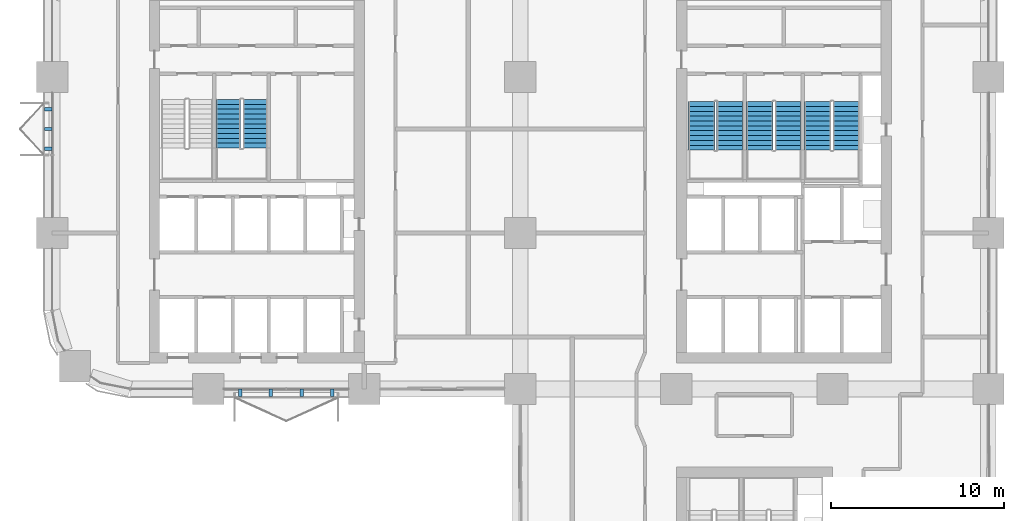
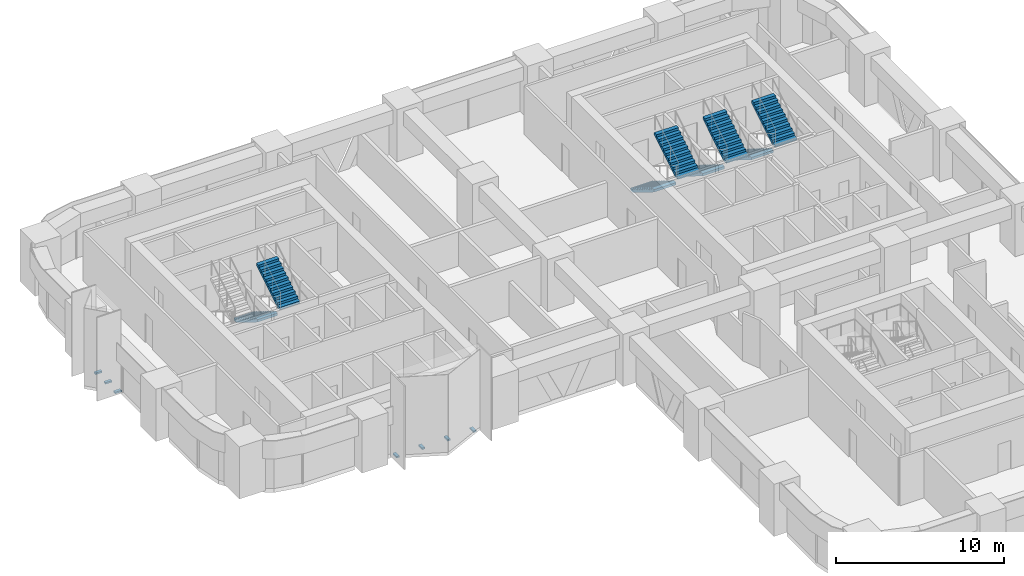
# One storey, part 16 of 18: 8 stair flights, 7 discrete accessories, 4 elements without a shape of their own.
"""IFC4 building model written with IfcOpenShell, lengths in metres."""

from ifc_helpers import new_model, si_unit, direction, frame, origin, origin_2d, place, context, subcontext, project, spatial, polyline, rectangle, outline, extrude, material, type_object, element, aggregate, save


model = new_model("IFC4")

# Units and contexts
model_context = context("Model", 3, precision=1e-05, world=origin(), true_north=direction((0.0, 1.0)))
body_context = subcontext(model_context, "Body", "Model", "MODEL_VIEW")
ifc_project = project(units=[si_unit("LENGTHUNIT", "METRE"), si_unit("AREAUNIT", "SQUARE_METRE"), si_unit("VOLUMEUNIT", "CUBIC_METRE"), si_unit("PLANEANGLEUNIT", "RADIAN"), si_unit("MASSUNIT", "GRAM", prefix="KILO")], contexts=[model_context])

# Site, building, storey
site_placement = place(None, origin())
site = spatial("IfcSite", under=ifc_project, at=site_placement, CompositionType="ELEMENT")
building_placement = place(site_placement, origin())
building = spatial("IfcBuilding", under=site, at=building_placement, Name="Tessera Arch", CompositionType="ELEMENT")
storey_placement = place(building_placement, frame((0.0, 0.0, 115.800048828125)))
storey = spatial("IfcBuildingStorey", under=building, at=storey_placement, Name="L27", CompositionType="ELEMENT", Elevation=115.800048828125)

# Stair, stair flights
ifc_material_1 = material(Name="Concrete C40/50", Category="concrete")
stair_type_1 = type_object("IfcStairType", Name="Dogleg stair 1400", PredefinedType="HALF_TURN_STAIR", material=ifc_material_1)
stair_1_placement = place(storey_placement, origin())
stair_1 = element("IfcStair", 1, at=stair_1_placement, inside=storey, type_object=stair_type_1, Name="L27 S2b", PredefinedType="HALF_TURN_STAIR")
ifc_material_2 = material(Name="Concrete C40/50", Category="concrete")
stair_flight_type_1 = type_object("IfcStairFlightType", Name="Stair flight 1400", PredefinedType="STRAIGHT", material=ifc_material_2)
stair_flight_1_placement = place(storey_placement, frame((10.14990234375, 43.699951171875, 0.0), z_axis=(0.0, 0.0, 1.0), x_axis=(0.0, -1.0, 0.0)))
stair_flight_1 = element("IfcStairFlight", 2, at=stair_flight_1_placement, type_object=stair_flight_type_1, Name="S2b flight 1", NumberOfRisers=11, NumberOfTreads=10, PredefinedType="STRAIGHT", RiserHeight=0.172727273, TreadLength=0.28, context=body_context, shape_type="SweptSolid", body=[
    extrude(outline(polyline([(0.0, 0.0), (0.0, 0.172607421875), (0.280029296875, 0.172607421875), (0.280029296875, 0.345458984375), (0.56005859375, 0.345458984375), (0.56005859375, 0.51806640625), (0.840087890625, 0.51806640625), (0.840087890625, 0.69091796875), (1.1201171875, 0.69091796875), (1.1201171875, 0.863525390625), (1.39990234375, 0.863525390625), (1.39990234375, 1.036376953125), (1.679931640625, 1.036376953125), (1.679931640625, 1.208984375), (1.9599609375, 1.208984375), (1.9599609375, 1.3818359375), (2.239990234375, 1.3818359375), (2.239990234375, 1.554443359375), (2.52001953125, 1.554443359375), (2.52001953125, 1.727294921875), (2.800048828125, 1.727294921875), (2.800048828125, 1.89990234375), (2.800048828125, 1.551025390625), (0.285400390625, 0.0), (0.0, 0.0)])), frame((0.0, 0.699951171875, 0.0), z_axis=(0.0, -1.0, 0.0), x_axis=(1.0, 0.0, 0.0)), (0.0, 0.0, 1.0), 1.39990234375),
])
stair_flight_2_placement = place(storey_placement, frame((11.699951171875, 40.89990234375, 1.89990234375), z_axis=(0.0, 0.0, 1.0), x_axis=(0.0, 1.0, 0.0)))
stair_flight_2 = element("IfcStairFlight", 3, at=stair_flight_2_placement, type_object=stair_flight_type_1, Name="S2b flight 2", NumberOfRisers=11, NumberOfTreads=10, PredefinedType="STRAIGHT", RiserHeight=0.172727273, TreadLength=0.28, context=body_context, shape_type="SweptSolid", body=[
    extrude(outline(polyline([(0.0, 0.0), (0.0, 0.172607421875), (0.280029296875, 0.172607421875), (0.280029296875, 0.345458984375), (0.56005859375, 0.345458984375), (0.56005859375, 0.51806640625), (0.840087890625, 0.51806640625), (0.840087890625, 0.69091796875), (1.1201171875, 0.69091796875), (1.1201171875, 0.863525390625), (1.39990234375, 0.863525390625), (1.39990234375, 1.036376953125), (1.679931640625, 1.036376953125), (1.679931640625, 1.208984375), (1.9599609375, 1.208984375), (1.9599609375, 1.3818359375), (2.239990234375, 1.3818359375), (2.239990234375, 1.554443359375), (2.52001953125, 1.554443359375), (2.52001953125, 1.727294921875), (2.800048828125, 1.727294921875), (2.800048828125, 1.89990234375), (2.800048828125, 1.551025390625), (0.285400390625, 0.0), (0.0, 0.0)])), frame((0.0, 0.699951171875, 0.0), z_axis=(0.0, -1.0, 0.0), x_axis=(1.0, 0.0, 0.0)), (0.0, 0.0, 1.0), 1.39990234375),
])
aggregate(stair_1, [stair_flight_1, stair_flight_2])

ifc_material_3 = material(Name="Concrete C40/50", Category="concrete")
stair_type_2 = type_object("IfcStairType", Name="Dogleg stair 1520", PredefinedType="HALF_TURN_STAIR", material=ifc_material_3)
stair_2_placement = place(storey_placement, origin())
stair_2 = element("IfcStair", 4, at=stair_2_placement, inside=storey, type_object=stair_type_2, Name="L27 S1a", PredefinedType="HALF_TURN_STAIR")
ifc_material_4 = material(Name="Concrete C40/50", Category="concrete")
stair_flight_type_2 = type_object("IfcStairFlightType", Name="Stair flight 1520", PredefinedType="STRAIGHT", material=ifc_material_4)
stair_flight_3_placement = place(storey_placement, frame((37.4599609375, 43.580078125, 0.0), z_axis=(0.0, 0.0, 1.0), x_axis=(0.0, -1.0, 0.0)))
stair_flight_3 = element("IfcStairFlight", 5, at=stair_flight_3_placement, type_object=stair_flight_type_2, Name="S1a flight 1", NumberOfRisers=11, NumberOfTreads=10, PredefinedType="STRAIGHT", RiserHeight=0.172727273, TreadLength=0.28, context=body_context, shape_type="SweptSolid", body=[
    extrude(outline(polyline([(0.0, 0.0), (0.0, 0.172607421875), (0.280029296875, 0.172607421875), (0.280029296875, 0.345458984375), (0.56005859375, 0.345458984375), (0.56005859375, 0.51806640625), (0.840087890625, 0.51806640625), (0.840087890625, 0.69091796875), (1.1201171875, 0.69091796875), (1.1201171875, 0.863525390625), (1.39990234375, 0.863525390625), (1.39990234375, 1.036376953125), (1.679931640625, 1.036376953125), (1.679931640625, 1.208984375), (1.9599609375, 1.208984375), (1.9599609375, 1.3818359375), (2.239990234375, 1.3818359375), (2.239990234375, 1.554443359375), (2.52001953125, 1.554443359375), (2.52001953125, 1.727294921875), (2.800048828125, 1.727294921875), (2.800048828125, 1.89990234375), (2.800048828125, 1.551025390625), (0.285400390625, 0.0), (0.0, 0.0)])), frame((0.0, 0.760009765625, 0.0), z_axis=(0.0, -1.0, 0.0), x_axis=(1.0, 0.0, 0.0)), (0.0, 0.0, 1.0), 1.52001953125),
])
stair_flight_4_placement = place(storey_placement, frame((39.090087890625, 40.780029296875, 1.89990234375), z_axis=(0.0, 0.0, 1.0), x_axis=(0.0, 1.0, 0.0)))
stair_flight_4 = element("IfcStairFlight", 6, at=stair_flight_4_placement, type_object=stair_flight_type_2, Name="S1a flight 2", NumberOfRisers=11, NumberOfTreads=10, PredefinedType="STRAIGHT", RiserHeight=0.172727273, TreadLength=0.28, context=body_context, shape_type="SweptSolid", body=[
    extrude(outline(polyline([(0.0, 0.0), (0.0, 0.172607421875), (0.280029296875, 0.172607421875), (0.280029296875, 0.345458984375), (0.56005859375, 0.345458984375), (0.56005859375, 0.51806640625), (0.840087890625, 0.51806640625), (0.840087890625, 0.69091796875), (1.1201171875, 0.69091796875), (1.1201171875, 0.863525390625), (1.39990234375, 0.863525390625), (1.39990234375, 1.036376953125), (1.679931640625, 1.036376953125), (1.679931640625, 1.208984375), (1.9599609375, 1.208984375), (1.9599609375, 1.3818359375), (2.239990234375, 1.3818359375), (2.239990234375, 1.554443359375), (2.52001953125, 1.554443359375), (2.52001953125, 1.727294921875), (2.800048828125, 1.727294921875), (2.800048828125, 1.89990234375), (2.800048828125, 1.551025390625), (0.285400390625, 0.0), (0.0, 0.0)])), frame((0.0, 0.760009765625, 0.0), z_axis=(0.0, -1.0, 0.0), x_axis=(1.0, 0.0, 0.0)), (0.0, 0.0, 1.0), 1.52001953125),
])
aggregate(stair_2, [stair_flight_3, stair_flight_4])

stair_3_placement = place(storey_placement, origin())
stair_3 = element("IfcStair", 7, at=stair_3_placement, inside=storey, type_object=stair_type_2, Name="L27 S1b", PredefinedType="HALF_TURN_STAIR")
stair_flight_5_placement = place(storey_placement, frame((40.81005859375, 43.580078125, 0.0), z_axis=(0.0, 0.0, 1.0), x_axis=(0.0, -1.0, 0.0)))
stair_flight_5 = element("IfcStairFlight", 8, at=stair_flight_5_placement, type_object=stair_flight_type_2, Name="S1b flight 1", NumberOfRisers=11, NumberOfTreads=10, PredefinedType="STRAIGHT", RiserHeight=0.172727273, TreadLength=0.28, context=body_context, shape_type="SweptSolid", body=[
    extrude(outline(polyline([(0.0, 0.0), (0.0, 0.172607421875), (0.280029296875, 0.172607421875), (0.280029296875, 0.345458984375), (0.56005859375, 0.345458984375), (0.56005859375, 0.51806640625), (0.840087890625, 0.51806640625), (0.840087890625, 0.69091796875), (1.1201171875, 0.69091796875), (1.1201171875, 0.863525390625), (1.39990234375, 0.863525390625), (1.39990234375, 1.036376953125), (1.679931640625, 1.036376953125), (1.679931640625, 1.208984375), (1.9599609375, 1.208984375), (1.9599609375, 1.3818359375), (2.239990234375, 1.3818359375), (2.239990234375, 1.554443359375), (2.52001953125, 1.554443359375), (2.52001953125, 1.727294921875), (2.800048828125, 1.727294921875), (2.800048828125, 1.89990234375), (2.800048828125, 1.551025390625), (0.285400390625, 0.0), (0.0, 0.0)])), frame((0.0, 0.760009765625, 0.0), z_axis=(0.0, -1.0, 0.0), x_axis=(1.0, 0.0, 0.0)), (0.0, 0.0, 1.0), 1.52001953125),
])
stair_flight_6_placement = place(storey_placement, frame((42.43994140625, 40.780029296875, 1.89990234375), z_axis=(0.0, 0.0, 1.0), x_axis=(0.0, 1.0, 0.0)))
stair_flight_6 = element("IfcStairFlight", 9, at=stair_flight_6_placement, type_object=stair_flight_type_2, Name="S1b flight 2", NumberOfRisers=11, NumberOfTreads=10, PredefinedType="STRAIGHT", RiserHeight=0.172727273, TreadLength=0.28, context=body_context, shape_type="SweptSolid", body=[
    extrude(outline(polyline([(0.0, 0.0), (0.0, 0.172607421875), (0.280029296875, 0.172607421875), (0.280029296875, 0.345458984375), (0.56005859375, 0.345458984375), (0.56005859375, 0.51806640625), (0.840087890625, 0.51806640625), (0.840087890625, 0.69091796875), (1.1201171875, 0.69091796875), (1.1201171875, 0.863525390625), (1.39990234375, 0.863525390625), (1.39990234375, 1.036376953125), (1.679931640625, 1.036376953125), (1.679931640625, 1.208984375), (1.9599609375, 1.208984375), (1.9599609375, 1.3818359375), (2.239990234375, 1.3818359375), (2.239990234375, 1.554443359375), (2.52001953125, 1.554443359375), (2.52001953125, 1.727294921875), (2.800048828125, 1.727294921875), (2.800048828125, 1.89990234375), (2.800048828125, 1.551025390625), (0.285400390625, 0.0), (0.0, 0.0)])), frame((0.0, 0.760009765625, 0.0), z_axis=(0.0, -1.0, 0.0), x_axis=(1.0, 0.0, 0.0)), (0.0, 0.0, 1.0), 1.52001953125),
])
aggregate(stair_3, [stair_flight_5, stair_flight_6])

stair_4_placement = place(storey_placement, origin())
stair_4 = element("IfcStair", 10, at=stair_4_placement, inside=storey, type_object=stair_type_2, Name="L27 S1c", PredefinedType="HALF_TURN_STAIR")
stair_flight_7_placement = place(storey_placement, frame((44.159912109375, 43.580078125, 0.0), z_axis=(0.0, 0.0, 1.0), x_axis=(0.0, -1.0, 0.0)))
stair_flight_7 = element("IfcStairFlight", 11, at=stair_flight_7_placement, type_object=stair_flight_type_2, Name="S1c flight 1", NumberOfRisers=11, NumberOfTreads=10, PredefinedType="STRAIGHT", RiserHeight=0.172727273, TreadLength=0.28, context=body_context, shape_type="SweptSolid", body=[
    extrude(outline(polyline([(0.0, 0.0), (0.0, 0.172607421875), (0.280029296875, 0.172607421875), (0.280029296875, 0.345458984375), (0.56005859375, 0.345458984375), (0.56005859375, 0.51806640625), (0.840087890625, 0.51806640625), (0.840087890625, 0.69091796875), (1.1201171875, 0.69091796875), (1.1201171875, 0.863525390625), (1.39990234375, 0.863525390625), (1.39990234375, 1.036376953125), (1.679931640625, 1.036376953125), (1.679931640625, 1.208984375), (1.9599609375, 1.208984375), (1.9599609375, 1.3818359375), (2.239990234375, 1.3818359375), (2.239990234375, 1.554443359375), (2.52001953125, 1.554443359375), (2.52001953125, 1.727294921875), (2.800048828125, 1.727294921875), (2.800048828125, 1.89990234375), (2.800048828125, 1.551025390625), (0.285400390625, 0.0), (0.0, 0.0)])), frame((0.0, 0.760009765625, 0.0), z_axis=(0.0, -1.0, 0.0), x_axis=(1.0, 0.0, 0.0)), (0.0, 0.0, 1.0), 1.52001953125),
])
stair_flight_8_placement = place(storey_placement, frame((45.7900390625, 40.780029296875, 1.89990234375), z_axis=(0.0, 0.0, 1.0), x_axis=(0.0, 1.0, 0.0)))
stair_flight_8 = element("IfcStairFlight", 12, at=stair_flight_8_placement, type_object=stair_flight_type_2, Name="S1c flight 2", NumberOfRisers=11, NumberOfTreads=10, PredefinedType="STRAIGHT", RiserHeight=0.172727273, TreadLength=0.28, context=body_context, shape_type="SweptSolid", body=[
    extrude(outline(polyline([(0.0, 0.0), (0.0, 0.172607421875), (0.280029296875, 0.172607421875), (0.280029296875, 0.345458984375), (0.56005859375, 0.345458984375), (0.56005859375, 0.51806640625), (0.840087890625, 0.51806640625), (0.840087890625, 0.69091796875), (1.1201171875, 0.69091796875), (1.1201171875, 0.863525390625), (1.39990234375, 0.863525390625), (1.39990234375, 1.036376953125), (1.679931640625, 1.036376953125), (1.679931640625, 1.208984375), (1.9599609375, 1.208984375), (1.9599609375, 1.3818359375), (2.239990234375, 1.3818359375), (2.239990234375, 1.554443359375), (2.52001953125, 1.554443359375), (2.52001953125, 1.727294921875), (2.800048828125, 1.727294921875), (2.800048828125, 1.89990234375), (2.800048828125, 1.551025390625), (0.285400390625, 0.0), (0.0, 0.0)])), frame((0.0, 0.760009765625, 0.0), z_axis=(0.0, -1.0, 0.0), x_axis=(1.0, 0.0, 0.0)), (0.0, 0.0, 1.0), 1.52001953125),
])
aggregate(stair_4, [stair_flight_7, stair_flight_8])

# Discrete accessories
for number, where, z_axis, x_axis, name in (
    (13, (-0.219970703125, 43.14990234375, -0.1201171875), (0.0, 0.0, 1.0), (-1.0, 0.0, 0.0), "Window box bracket"),
    (14, (-0.219970703125, 42.0, -0.1201171875), (0.0, 0.0, 1.0), (-1.0, 0.0, 0.0), "Window box bracket"),
    (15, (-0.219970703125, 40.85009765625, -0.1201171875), (0.0, 0.0, 1.0), (-1.0, 0.0, 0.0), "Window box bracket"),
    (16, (10.85009765625, 26.780029296875, -0.1201171875), (0.0, 0.0, 1.0), (0.0, -1.0, 0.0), "Window box bracket"),
    (17, (12.61669921875, 26.780029296875, -0.1201171875), (0.0, 0.0, 1.0), (0.0, -1.0, 0.0), "Window box bracket"),
    (18, (14.38330078125, 26.780029296875, -0.1201171875), (0.0, 0.0, 1.0), (0.0, -1.0, 0.0), "Window box bracket"),
    (19, (16.14990234375, 26.780029296875, -0.1201171875), (0.0, 0.0, 1.0), (0.0, -1.0, 0.0), "Window box bracket"),
):
    element("IfcDiscreteAccessory", number, at=place(storey_placement, frame(where, z_axis=z_axis, x_axis=x_axis)), inside=storey, Name=name, PredefinedType="BRACKET", context=body_context, shape_type="SweptSolid", body=[
        extrude(rectangle(XDim=0.43994140625, YDim=0.199951171875, at=origin_2d()), origin(), (0.0, 0.0, 1.0), 0.1201171875),
    ])

save(model, "model.ifc")
